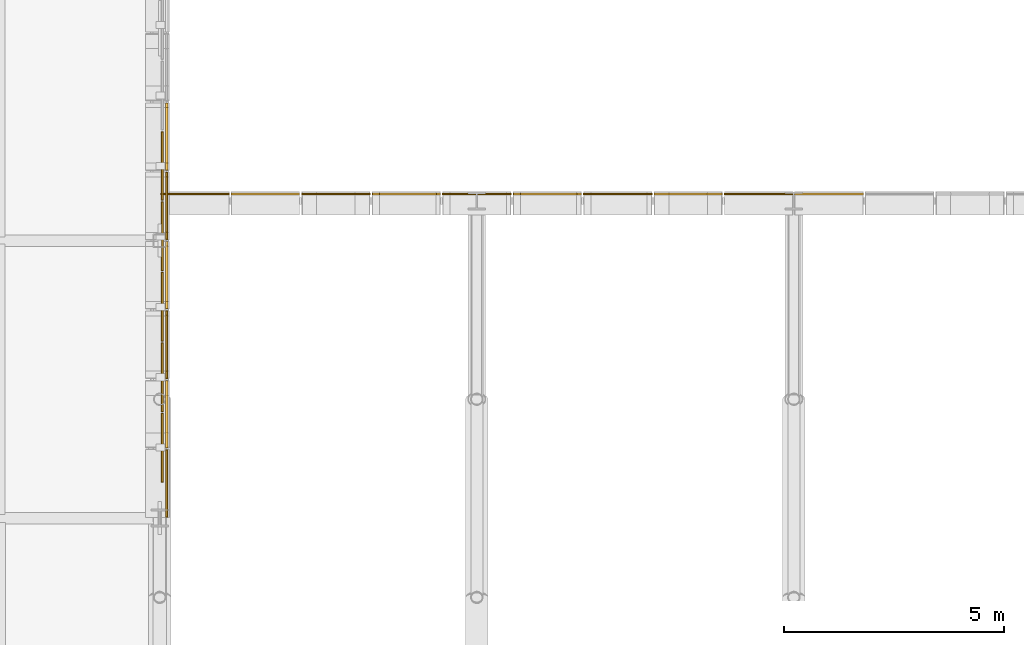
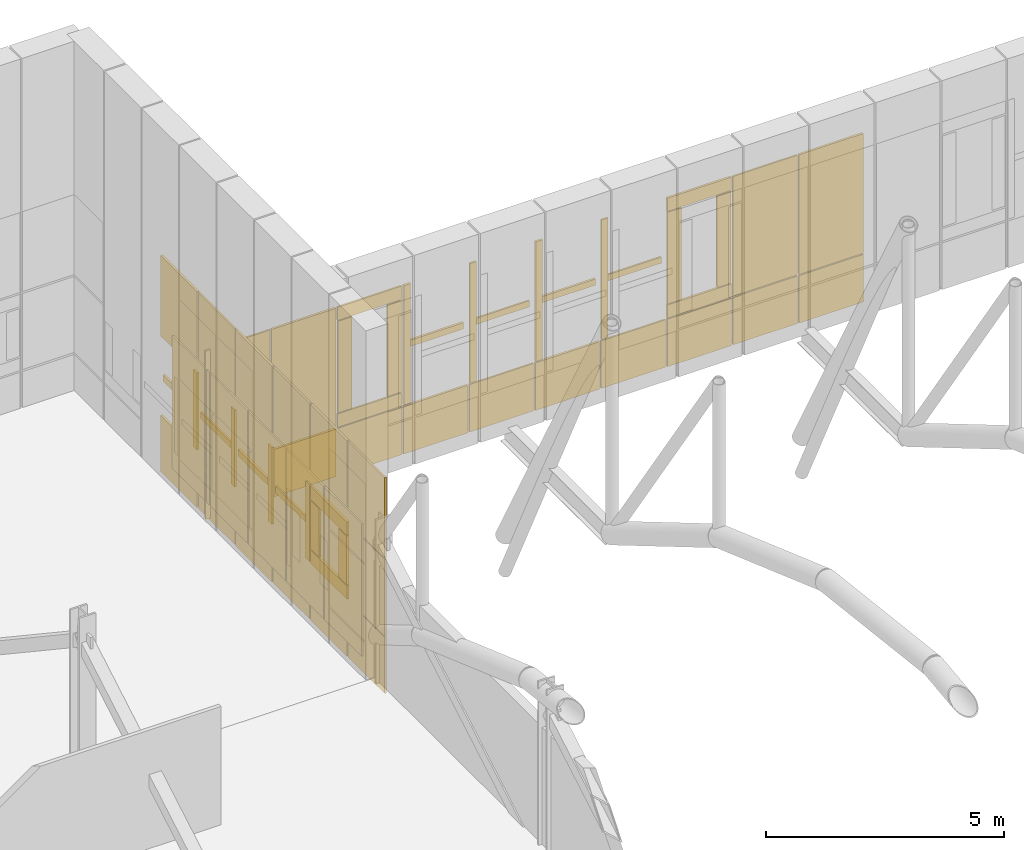
# One storey, part 137 of 144: 55 coverings, 5 shading devices.
"""IFC4 building model written with IfcOpenShell, lengths in metres."""

from ifc_helpers import new_model, si_unit, direction, frame, origin, origin_2d, place, context, subcontext, project, spatial, rectangle, extrude, material, layer, layer_set, type_object, element, save


model = new_model("IFC4")

# Units and contexts
model_context = context("Model", 3, precision=1e-05, world=origin(), true_north=direction((0.0, 1.0)))
body_context = subcontext(model_context, "Body", "Model", "MODEL_VIEW")
ifc_project = project(units=[si_unit("LENGTHUNIT", "METRE"), si_unit("AREAUNIT", "SQUARE_METRE"), si_unit("VOLUMEUNIT", "CUBIC_METRE"), si_unit("PLANEANGLEUNIT", "RADIAN"), si_unit("MASSUNIT", "GRAM", prefix="KILO")], contexts=[model_context])

# Site, building, storey
site_placement = place(None, origin())
site = spatial("IfcSite", under=ifc_project, at=site_placement, CompositionType="ELEMENT")
building_placement = place(site_placement, origin())
building = spatial("IfcBuilding", under=site, at=building_placement, Name="Yarey Park Central Fire Station", CompositionType="ELEMENT")
storey_placement = place(building_placement, frame((0.0, 0.0, 10.199951171875)))
storey = spatial("IfcBuildingStorey", under=building, at=storey_placement, Name="L03", CompositionType="ELEMENT", Elevation=10.199951171875)

# Coverings
ifc_material_1 = material(Name="Perforated Powder-Coated Aluminium Cladding", Category="aluminium")
ifc_layer_1 = layer(ifc_material_1, 0.0419921875)
ifc_layer_set_1 = layer_set([ifc_layer_1], Name="Perforated Powder-Coated Aluminium Cladding")
covering_type_1 = type_object("IfcCoveringType", Name="ENV_COV_PERF_1", PredefinedType="CLADDING", material=ifc_layer_set_1)
covering_1_placement = place(storey_placement, frame((57.760009765625, 87.1875, -0.5048828125), z_axis=(0.0, 0.0, 1.0), x_axis=(0.0, 1.0, 0.0)))
element("IfcCovering", 1, at=covering_1_placement, inside=storey, type_object=covering_type_1, Name="PERF_L03_0466", PredefinedType="CLADDING", context=body_context, shape_type="SweptSolid", body=[
    extrude(rectangle(XDim=1.534912109375, YDim=0.0419921875, at=origin_2d()), origin(), (0.0, 0.0, 1.0), 1.43994140625),
])
covering_2_placement = place(storey_placement, frame((57.760009765625, 87.1875, 0.96484375), z_axis=(0.0, 0.0, 1.0), x_axis=(0.0, 1.0, 0.0)))
element("IfcCovering", 2, at=covering_2_placement, inside=storey, type_object=covering_type_1, Name="PERF_L03_0467", PredefinedType="CLADDING", context=body_context, shape_type="SweptSolid", body=[
    extrude(rectangle(XDim=1.534912109375, YDim=0.0419921875, at=origin_2d()), origin(), (0.0, 0.0, 1.0), 1.969970703125),
])
covering_3_placement = place(storey_placement, frame((57.760009765625, 87.1875, 2.96484375), z_axis=(0.0, 0.0, 1.0), x_axis=(0.0, 1.0, 0.0)))
element("IfcCovering", 3, at=covering_3_placement, inside=storey, type_object=covering_type_1, Name="PERF_L03_0468", PredefinedType="CLADDING", context=body_context, shape_type="SweptSolid", body=[
    extrude(rectangle(XDim=1.534912109375, YDim=0.0419921875, at=origin_2d()), origin(), (0.0, 0.0, 1.0), 2.070068359375),
])
covering_4_placement = place(storey_placement, frame((57.760009765625, 90.33740234375, -0.5048828125), z_axis=(0.0, 0.0, 1.0), x_axis=(0.0, 1.0, 0.0)))
element("IfcCovering", 4, at=covering_4_placement, inside=storey, type_object=covering_type_1, Name="PERF_L03_0482", PredefinedType="CLADDING", context=body_context, shape_type="SweptSolid", body=[
    extrude(rectangle(XDim=1.534912109375, YDim=0.0419921875, at=origin_2d()), origin(), (0.0, 0.0, 1.0), 1.43994140625),
])
covering_5_placement = place(storey_placement, frame((57.760009765625, 89.659912109375, 0.96484375), z_axis=(0.0, 0.0, 1.0), x_axis=(0.0, 1.0, 0.0)))
element("IfcCovering", 5, at=covering_5_placement, inside=storey, type_object=covering_type_1, Name="PERF_L03_0483", PredefinedType="CLADDING", context=body_context, shape_type="SweptSolid", body=[
    extrude(rectangle(XDim=0.159912109375, YDim=0.0419921875, at=origin_2d()), origin(), (0.0, 0.0, 1.0), 1.969970703125),
])
covering_6_placement = place(storey_placement, frame((57.760009765625, 90.33740234375, 1.8701171875), z_axis=(0.0, 0.0, 1.0), x_axis=(0.0, 1.0, 0.0)))
element("IfcCovering", 6, at=covering_6_placement, inside=storey, type_object=covering_type_1, Name="PERF_L03_0484", PredefinedType="CLADDING", context=body_context, shape_type="SweptSolid", body=[
    extrude(rectangle(XDim=1.3349609375, YDim=0.0419921875, at=origin_2d()), origin(), (0.0, 0.0, 1.0), 0.159912109375),
])
covering_7_placement = place(storey_placement, frame((57.760009765625, 90.33740234375, 2.96484375), z_axis=(0.0, 0.0, 1.0), x_axis=(0.0, 1.0, 0.0)))
element("IfcCovering", 7, at=covering_7_placement, inside=storey, type_object=covering_type_1, Name="PERF_L03_0485", PredefinedType="CLADDING", context=body_context, shape_type="SweptSolid", body=[
    extrude(rectangle(XDim=1.534912109375, YDim=0.0419921875, at=origin_2d()), origin(), (0.0, 0.0, 1.0), 2.070068359375),
])
covering_8_placement = place(storey_placement, frame((57.760009765625, 93.487548828125, -0.5048828125), z_axis=(0.0, 0.0, 1.0), x_axis=(0.0, 1.0, 0.0)))
element("IfcCovering", 8, at=covering_8_placement, inside=storey, type_object=covering_type_1, Name="PERF_L03_0496", PredefinedType="CLADDING", context=body_context, shape_type="SweptSolid", body=[
    extrude(rectangle(XDim=1.534912109375, YDim=0.0419921875, at=origin_2d()), origin(), (0.0, 0.0, 1.0), 1.43994140625),
])
covering_9_placement = place(storey_placement, frame((57.760009765625, 92.81005859375, 0.96484375), z_axis=(0.0, 0.0, 1.0), x_axis=(0.0, 1.0, 0.0)))
element("IfcCovering", 9, at=covering_9_placement, inside=storey, type_object=covering_type_1, Name="PERF_L03_0497", PredefinedType="CLADDING", context=body_context, shape_type="SweptSolid", body=[
    extrude(rectangle(XDim=0.159912109375, YDim=0.0419921875, at=origin_2d()), origin(), (0.0, 0.0, 1.0), 1.969970703125),
])
covering_10_placement = place(storey_placement, frame((57.760009765625, 93.487548828125, 1.8701171875), z_axis=(0.0, 0.0, 1.0), x_axis=(0.0, 1.0, 0.0)))
element("IfcCovering", 10, at=covering_10_placement, inside=storey, type_object=covering_type_1, Name="PERF_L03_0498", PredefinedType="CLADDING", context=body_context, shape_type="SweptSolid", body=[
    extrude(rectangle(XDim=1.3349609375, YDim=0.0419921875, at=origin_2d()), origin(), (0.0, 0.0, 1.0), 0.159912109375),
])
covering_11_placement = place(storey_placement, frame((57.760009765625, 93.487548828125, 2.96484375), z_axis=(0.0, 0.0, 1.0), x_axis=(0.0, 1.0, 0.0)))
element("IfcCovering", 11, at=covering_11_placement, inside=storey, type_object=covering_type_1, Name="PERF_L03_0499", PredefinedType="CLADDING", context=body_context, shape_type="SweptSolid", body=[
    extrude(rectangle(XDim=1.534912109375, YDim=0.0419921875, at=origin_2d()), origin(), (0.0, 0.0, 1.0), 2.070068359375),
])
covering_12_placement = place(storey_placement, frame((58.39990234375, 93.760009765625, -0.43505859375), z_axis=(0.0, 0.0, 1.0), x_axis=(1.0, 0.0, 0.0)))
element("IfcCovering", 12, at=covering_12_placement, inside=storey, type_object=covering_type_1, Name="PERF_L03_1566", PredefinedType="CLADDING", context=body_context, shape_type="SweptSolid", body=[
    extrude(rectangle(XDim=1.56005859375, YDim=0.0419921875, at=origin_2d()), origin(), (0.0, 0.0, 1.0), 1.219970703125),
])
covering_13_placement = place(storey_placement, frame((58.39990234375, 93.760009765625, 0.81494140625), z_axis=(0.0, 0.0, 1.0), x_axis=(1.0, 0.0, 0.0)))
element("IfcCovering", 13, at=covering_13_placement, inside=storey, type_object=covering_type_1, Name="PERF_L03_1567", PredefinedType="CLADDING", context=body_context, shape_type="SweptSolid", body=[
    extrude(rectangle(XDim=1.56005859375, YDim=0.0419921875, at=origin_2d()), origin(), (0.0, 0.0, 1.0), 3.070068359375),
])
covering_14_placement = place(storey_placement, frame((61.60009765625, 93.760009765625, -0.43505859375), z_axis=(0.0, 0.0, 1.0), x_axis=(1.0, 0.0, 0.0)))
element("IfcCovering", 14, at=covering_14_placement, inside=storey, type_object=covering_type_1, Name="PERF_L03_1572", PredefinedType="CLADDING", context=body_context, shape_type="SweptSolid", body=[
    extrude(rectangle(XDim=1.56005859375, YDim=0.0419921875, at=origin_2d()), origin(), (0.0, 0.0, 1.0), 1.219970703125),
])
for number, where, z_axis, x_axis, name in (
    (15, (61.60009765625, 93.760009765625, 0.81005859375), (0.0, 0.0, 1.0), (1.0, 0.0, 0.0), "PERF_L03_1573"),
    (16, (61.60009765625, 93.760009765625, 3.5498046875), (0.0, 0.0, 1.0), (1.0, 0.0, 0.0), "PERF_L03_1574"),
):
    element("IfcCovering", number, at=place(storey_placement, frame(where, z_axis=z_axis, x_axis=x_axis)), inside=storey, type_object=covering_type_1, Name=name, PredefinedType="CLADDING", context=body_context, shape_type="SweptSolid", body=[
        extrude(rectangle(XDim=1.56005859375, YDim=0.0419921875, at=origin_2d()), origin(), (0.0, 0.0, 1.0), 0.340087890625),
    ])
for number, where, z_axis, x_axis, name in (
    (17, (61.0, 93.760009765625, 1.175048828125), (0.0, 0.0, 1.0), (1.0, 0.0, 0.0), "PERF_L03_1575"),
    (18, (62.199951171875, 93.760009765625, 1.175048828125), (0.0, 0.0, 1.0), (1.0, 0.0, 0.0), "PERF_L03_1576"),
):
    element("IfcCovering", number, at=place(storey_placement, frame(where, z_axis=z_axis, x_axis=x_axis)), inside=storey, type_object=covering_type_1, Name=name, PredefinedType="CLADDING", context=body_context, shape_type="SweptSolid", body=[
        extrude(rectangle(XDim=0.340087890625, YDim=0.0419921875, at=origin_2d()), origin(), (0.0, 0.0, 1.0), 2.35009765625),
    ])
covering_15_placement = place(storey_placement, frame((64.800048828125, 93.760009765625, -0.43505859375), z_axis=(0.0, 0.0, 1.0), x_axis=(1.0, 0.0, 0.0)))
element("IfcCovering", 19, at=covering_15_placement, inside=storey, type_object=covering_type_1, Name="PERF_L03_1582", PredefinedType="CLADDING", context=body_context, shape_type="SweptSolid", body=[
    extrude(rectangle(XDim=1.56005859375, YDim=0.0419921875, at=origin_2d()), origin(), (0.0, 0.0, 1.0), 1.219970703125),
])
covering_16_placement = place(storey_placement, frame((64.110107421875, 93.760009765625, 0.81494140625), z_axis=(0.0, 0.0, 1.0), x_axis=(1.0, 0.0, 0.0)))
element("IfcCovering", 20, at=covering_16_placement, inside=storey, type_object=covering_type_1, Name="PERF_L03_1583", PredefinedType="CLADDING", context=body_context, shape_type="SweptSolid", body=[
    extrude(rectangle(XDim=0.159912109375, YDim=0.0419921875, at=origin_2d()), origin(), (0.0, 0.0, 1.0), 3.070068359375),
])
covering_17_placement = place(storey_placement, frame((64.800048828125, 93.760009765625, 2.27001953125), z_axis=(0.0, 0.0, 1.0), x_axis=(1.0, 0.0, 0.0)))
element("IfcCovering", 21, at=covering_17_placement, inside=storey, type_object=covering_type_1, Name="PERF_L03_1584", PredefinedType="CLADDING", context=body_context, shape_type="SweptSolid", body=[
    extrude(rectangle(XDim=1.360107421875, YDim=0.0419921875, at=origin_2d()), origin(), (0.0, 0.0, 1.0), 0.159912109375),
])
covering_18_placement = place(storey_placement, frame((68.0, 93.760009765625, -0.43505859375), z_axis=(0.0, 0.0, 1.0), x_axis=(1.0, 0.0, 0.0)))
element("IfcCovering", 22, at=covering_18_placement, inside=storey, type_object=covering_type_1, Name="PERF_L03_1590", PredefinedType="CLADDING", context=body_context, shape_type="SweptSolid", body=[
    extrude(rectangle(XDim=1.56005859375, YDim=0.0419921875, at=origin_2d()), origin(), (0.0, 0.0, 1.0), 1.219970703125),
])
covering_19_placement = place(storey_placement, frame((67.31005859375, 93.760009765625, 0.81494140625), z_axis=(0.0, 0.0, 1.0), x_axis=(1.0, 0.0, 0.0)))
element("IfcCovering", 23, at=covering_19_placement, inside=storey, type_object=covering_type_1, Name="PERF_L03_1591", PredefinedType="CLADDING", context=body_context, shape_type="SweptSolid", body=[
    extrude(rectangle(XDim=0.159912109375, YDim=0.0419921875, at=origin_2d()), origin(), (0.0, 0.0, 1.0), 3.070068359375),
])
covering_20_placement = place(storey_placement, frame((68.0, 93.760009765625, 2.27001953125), z_axis=(0.0, 0.0, 1.0), x_axis=(1.0, 0.0, 0.0)))
element("IfcCovering", 24, at=covering_20_placement, inside=storey, type_object=covering_type_1, Name="PERF_L03_1592", PredefinedType="CLADDING", context=body_context, shape_type="SweptSolid", body=[
    extrude(rectangle(XDim=1.360107421875, YDim=0.0419921875, at=origin_2d()), origin(), (0.0, 0.0, 1.0), 0.159912109375),
])
covering_21_placement = place(storey_placement, frame((71.199951171875, 93.760009765625, -0.43505859375), z_axis=(0.0, 0.0, 1.0), x_axis=(1.0, 0.0, 0.0)))
element("IfcCovering", 25, at=covering_21_placement, inside=storey, type_object=covering_type_1, Name="PERF_L03_1600", PredefinedType="CLADDING", context=body_context, shape_type="SweptSolid", body=[
    extrude(rectangle(XDim=1.56005859375, YDim=0.0419921875, at=origin_2d()), origin(), (0.0, 0.0, 1.0), 1.219970703125),
])
covering_22_placement = place(storey_placement, frame((71.199951171875, 93.760009765625, 0.81494140625), z_axis=(0.0, 0.0, 1.0), x_axis=(1.0, 0.0, 0.0)))
element("IfcCovering", 26, at=covering_22_placement, inside=storey, type_object=covering_type_1, Name="PERF_L03_1601", PredefinedType="CLADDING", context=body_context, shape_type="SweptSolid", body=[
    extrude(rectangle(XDim=1.56005859375, YDim=0.0419921875, at=origin_2d()), origin(), (0.0, 0.0, 1.0), 3.070068359375),
])
ifc_layer_2 = layer(ifc_material_1, 0.053955078125)
ifc_layer_set_2 = layer_set([ifc_layer_2], Name="Perforated Powder-Coated Aluminium Cladding")
covering_type_2 = type_object("IfcCoveringType", Name="ENV_COV_PERF_2", PredefinedType="CLADDING", material=ifc_layer_set_2)
covering_23_placement = place(storey_placement, frame((57.760009765625, 88.762451171875, -0.5048828125), z_axis=(0.0, 0.0, 1.0), x_axis=(0.0, 1.0, 0.0)))
element("IfcCovering", 27, at=covering_23_placement, inside=storey, type_object=covering_type_2, Name="PERF_L03_0471", PredefinedType="CLADDING", context=body_context, shape_type="SweptSolid", body=[
    extrude(rectangle(XDim=1.534912109375, YDim=0.053955078125, at=origin_2d()), origin(), (0.0, 0.0, 1.0), 1.43994140625),
])
for number, where, z_axis, x_axis, name in (
    (28, (57.760009765625, 88.762451171875, 0.9599609375), (0.0, 0.0, 1.0), (0.0, 1.0, 0.0), "PERF_L03_0472"),
    (29, (57.760009765625, 88.762451171875, 2.60009765625), (0.0, 0.0, 1.0), (0.0, 1.0, 0.0), "PERF_L03_0473"),
):
    element("IfcCovering", number, at=place(storey_placement, frame(where, z_axis=z_axis, x_axis=x_axis)), inside=storey, type_object=covering_type_2, Name=name, PredefinedType="CLADDING", context=body_context, shape_type="SweptSolid", body=[
        extrude(rectangle(XDim=1.534912109375, YDim=0.053955078125, at=origin_2d()), origin(), (0.0, 0.0, 1.0), 0.340087890625),
    ])
for number, where, z_axis, x_axis, name in (
    (30, (57.760009765625, 88.175048828125, 1.324951171875), (0.0, 0.0, 1.0), (0.0, 1.0, 0.0), "PERF_L03_0474"),
    (31, (57.760009765625, 89.35009765625, 1.324951171875), (0.0, 0.0, 1.0), (0.0, 1.0, 0.0), "PERF_L03_0475"),
):
    element("IfcCovering", number, at=place(storey_placement, frame(where, z_axis=z_axis, x_axis=x_axis)), inside=storey, type_object=covering_type_2, Name=name, PredefinedType="CLADDING", context=body_context, shape_type="SweptSolid", body=[
        extrude(rectangle(XDim=0.340087890625, YDim=0.053955078125, at=origin_2d()), origin(), (0.0, 0.0, 1.0), 1.25),
    ])
covering_24_placement = place(storey_placement, frame((57.760009765625, 88.762451171875, 2.96484375), z_axis=(0.0, 0.0, 1.0), x_axis=(0.0, 1.0, 0.0)))
element("IfcCovering", 32, at=covering_24_placement, inside=storey, type_object=covering_type_2, Name="PERF_L03_0476", PredefinedType="CLADDING", context=body_context, shape_type="SweptSolid", body=[
    extrude(rectangle(XDim=1.534912109375, YDim=0.053955078125, at=origin_2d()), origin(), (0.0, 0.0, 1.0), 2.070068359375),
])
covering_25_placement = place(storey_placement, frame((57.760009765625, 91.91259765625, -0.5048828125), z_axis=(0.0, 0.0, 1.0), x_axis=(0.0, 1.0, 0.0)))
element("IfcCovering", 33, at=covering_25_placement, inside=storey, type_object=covering_type_2, Name="PERF_L03_0489", PredefinedType="CLADDING", context=body_context, shape_type="SweptSolid", body=[
    extrude(rectangle(XDim=1.534912109375, YDim=0.053955078125, at=origin_2d()), origin(), (0.0, 0.0, 1.0), 1.43994140625),
])
covering_26_placement = place(storey_placement, frame((57.760009765625, 91.235107421875, 0.96484375), z_axis=(0.0, 0.0, 1.0), x_axis=(0.0, 1.0, 0.0)))
element("IfcCovering", 34, at=covering_26_placement, inside=storey, type_object=covering_type_2, Name="PERF_L03_0490", PredefinedType="CLADDING", context=body_context, shape_type="SweptSolid", body=[
    extrude(rectangle(XDim=0.159912109375, YDim=0.053955078125, at=origin_2d()), origin(), (0.0, 0.0, 1.0), 1.969970703125),
])
covering_27_placement = place(storey_placement, frame((57.760009765625, 91.91259765625, 1.8701171875), z_axis=(0.0, 0.0, 1.0), x_axis=(0.0, 1.0, 0.0)))
element("IfcCovering", 35, at=covering_27_placement, inside=storey, type_object=covering_type_2, Name="PERF_L03_0491", PredefinedType="CLADDING", context=body_context, shape_type="SweptSolid", body=[
    extrude(rectangle(XDim=1.3349609375, YDim=0.053955078125, at=origin_2d()), origin(), (0.0, 0.0, 1.0), 0.159912109375),
])
covering_28_placement = place(storey_placement, frame((57.760009765625, 91.91259765625, 2.96484375), z_axis=(0.0, 0.0, 1.0), x_axis=(0.0, 1.0, 0.0)))
element("IfcCovering", 36, at=covering_28_placement, inside=storey, type_object=covering_type_2, Name="PERF_L03_0492", PredefinedType="CLADDING", context=body_context, shape_type="SweptSolid", body=[
    extrude(rectangle(XDim=1.534912109375, YDim=0.053955078125, at=origin_2d()), origin(), (0.0, 0.0, 1.0), 2.070068359375),
])
covering_29_placement = place(storey_placement, frame((57.760009765625, 95.0625, -0.5048828125), z_axis=(0.0, 0.0, 1.0), x_axis=(0.0, 1.0, 0.0)))
element("IfcCovering", 37, at=covering_29_placement, inside=storey, type_object=covering_type_2, Name="PERF_L03_0503", PredefinedType="CLADDING", context=body_context, shape_type="SweptSolid", body=[
    extrude(rectangle(XDim=1.534912109375, YDim=0.053955078125, at=origin_2d()), origin(), (0.0, 0.0, 1.0), 1.43994140625),
])
covering_30_placement = place(storey_placement, frame((57.760009765625, 94.385009765625, 0.96484375), z_axis=(0.0, 0.0, 1.0), x_axis=(0.0, 1.0, 0.0)))
element("IfcCovering", 38, at=covering_30_placement, inside=storey, type_object=covering_type_2, Name="PERF_L03_0504", PredefinedType="CLADDING", context=body_context, shape_type="SweptSolid", body=[
    extrude(rectangle(XDim=0.159912109375, YDim=0.053955078125, at=origin_2d()), origin(), (0.0, 0.0, 1.0), 1.969970703125),
])
covering_31_placement = place(storey_placement, frame((57.760009765625, 95.0625, 1.8701171875), z_axis=(0.0, 0.0, 1.0), x_axis=(0.0, 1.0, 0.0)))
element("IfcCovering", 39, at=covering_31_placement, inside=storey, type_object=covering_type_2, Name="PERF_L03_0505", PredefinedType="CLADDING", context=body_context, shape_type="SweptSolid", body=[
    extrude(rectangle(XDim=1.3349609375, YDim=0.053955078125, at=origin_2d()), origin(), (0.0, 0.0, 1.0), 0.159912109375),
])
covering_32_placement = place(storey_placement, frame((57.760009765625, 95.0625, 2.96484375), z_axis=(0.0, 0.0, 1.0), x_axis=(0.0, 1.0, 0.0)))
element("IfcCovering", 40, at=covering_32_placement, inside=storey, type_object=covering_type_2, Name="PERF_L03_0506", PredefinedType="CLADDING", context=body_context, shape_type="SweptSolid", body=[
    extrude(rectangle(XDim=1.534912109375, YDim=0.053955078125, at=origin_2d()), origin(), (0.0, 0.0, 1.0), 2.070068359375),
])
covering_33_placement = place(storey_placement, frame((60.0, 93.760009765625, -0.43505859375), z_axis=(0.0, 0.0, 1.0), x_axis=(1.0, 0.0, 0.0)))
element("IfcCovering", 41, at=covering_33_placement, inside=storey, type_object=covering_type_2, Name="PERF_L03_1569", PredefinedType="CLADDING", context=body_context, shape_type="SweptSolid", body=[
    extrude(rectangle(XDim=1.56005859375, YDim=0.053955078125, at=origin_2d()), origin(), (0.0, 0.0, 1.0), 1.219970703125),
])
covering_34_placement = place(storey_placement, frame((60.0, 93.760009765625, 0.81494140625), z_axis=(0.0, 0.0, 1.0), x_axis=(1.0, 0.0, 0.0)))
element("IfcCovering", 42, at=covering_34_placement, inside=storey, type_object=covering_type_2, Name="PERF_L03_1570", PredefinedType="CLADDING", context=body_context, shape_type="SweptSolid", body=[
    extrude(rectangle(XDim=1.56005859375, YDim=0.053955078125, at=origin_2d()), origin(), (0.0, 0.0, 1.0), 3.070068359375),
])
covering_35_placement = place(storey_placement, frame((63.199951171875, 93.760009765625, -0.43505859375), z_axis=(0.0, 0.0, 1.0), x_axis=(1.0, 0.0, 0.0)))
element("IfcCovering", 43, at=covering_35_placement, inside=storey, type_object=covering_type_2, Name="PERF_L03_1578", PredefinedType="CLADDING", context=body_context, shape_type="SweptSolid", body=[
    extrude(rectangle(XDim=1.56005859375, YDim=0.053955078125, at=origin_2d()), origin(), (0.0, 0.0, 1.0), 1.219970703125),
])
covering_36_placement = place(storey_placement, frame((62.510009765625, 93.760009765625, 0.81494140625), z_axis=(0.0, 0.0, 1.0), x_axis=(1.0, 0.0, 0.0)))
element("IfcCovering", 44, at=covering_36_placement, inside=storey, type_object=covering_type_2, Name="PERF_L03_1579", PredefinedType="CLADDING", context=body_context, shape_type="SweptSolid", body=[
    extrude(rectangle(XDim=0.159912109375, YDim=0.053955078125, at=origin_2d()), origin(), (0.0, 0.0, 1.0), 3.070068359375),
])
covering_37_placement = place(storey_placement, frame((63.199951171875, 93.760009765625, 2.27001953125), z_axis=(0.0, 0.0, 1.0), x_axis=(1.0, 0.0, 0.0)))
element("IfcCovering", 45, at=covering_37_placement, inside=storey, type_object=covering_type_2, Name="PERF_L03_1580", PredefinedType="CLADDING", context=body_context, shape_type="SweptSolid", body=[
    extrude(rectangle(XDim=1.360107421875, YDim=0.053955078125, at=origin_2d()), origin(), (0.0, 0.0, 1.0), 0.159912109375),
])
covering_38_placement = place(storey_placement, frame((66.39990234375, 93.760009765625, -0.43505859375), z_axis=(0.0, 0.0, 1.0), x_axis=(1.0, 0.0, 0.0)))
element("IfcCovering", 46, at=covering_38_placement, inside=storey, type_object=covering_type_2, Name="PERF_L03_1586", PredefinedType="CLADDING", context=body_context, shape_type="SweptSolid", body=[
    extrude(rectangle(XDim=1.56005859375, YDim=0.053955078125, at=origin_2d()), origin(), (0.0, 0.0, 1.0), 1.219970703125),
])
covering_39_placement = place(storey_placement, frame((65.7099609375, 93.760009765625, 0.81494140625), z_axis=(0.0, 0.0, 1.0), x_axis=(1.0, 0.0, 0.0)))
element("IfcCovering", 47, at=covering_39_placement, inside=storey, type_object=covering_type_2, Name="PERF_L03_1587", PredefinedType="CLADDING", context=body_context, shape_type="SweptSolid", body=[
    extrude(rectangle(XDim=0.159912109375, YDim=0.053955078125, at=origin_2d()), origin(), (0.0, 0.0, 1.0), 3.070068359375),
])
covering_40_placement = place(storey_placement, frame((66.39990234375, 93.760009765625, 2.27001953125), z_axis=(0.0, 0.0, 1.0), x_axis=(1.0, 0.0, 0.0)))
element("IfcCovering", 48, at=covering_40_placement, inside=storey, type_object=covering_type_2, Name="PERF_L03_1588", PredefinedType="CLADDING", context=body_context, shape_type="SweptSolid", body=[
    extrude(rectangle(XDim=1.360107421875, YDim=0.053955078125, at=origin_2d()), origin(), (0.0, 0.0, 1.0), 0.159912109375),
])
covering_41_placement = place(storey_placement, frame((69.60009765625, 93.760009765625, -0.43505859375), z_axis=(0.0, 0.0, 1.0), x_axis=(1.0, 0.0, 0.0)))
element("IfcCovering", 49, at=covering_41_placement, inside=storey, type_object=covering_type_2, Name="PERF_L03_1594", PredefinedType="CLADDING", context=body_context, shape_type="SweptSolid", body=[
    extrude(rectangle(XDim=1.56005859375, YDim=0.053955078125, at=origin_2d()), origin(), (0.0, 0.0, 1.0), 1.219970703125),
])
for number, where, z_axis, x_axis, name in (
    (50, (69.60009765625, 93.760009765625, 0.81005859375), (0.0, 0.0, 1.0), (1.0, 0.0, 0.0), "PERF_L03_1595"),
    (51, (69.60009765625, 93.760009765625, 3.5498046875), (0.0, 0.0, 1.0), (1.0, 0.0, 0.0), "PERF_L03_1596"),
):
    element("IfcCovering", number, at=place(storey_placement, frame(where, z_axis=z_axis, x_axis=x_axis)), inside=storey, type_object=covering_type_2, Name=name, PredefinedType="CLADDING", context=body_context, shape_type="SweptSolid", body=[
        extrude(rectangle(XDim=1.56005859375, YDim=0.053955078125, at=origin_2d()), origin(), (0.0, 0.0, 1.0), 0.340087890625),
    ])
for number, where, z_axis, x_axis, name in (
    (52, (69.0, 93.760009765625, 1.175048828125), (0.0, 0.0, 1.0), (1.0, 0.0, 0.0), "PERF_L03_1597"),
    (53, (70.199951171875, 93.760009765625, 1.175048828125), (0.0, 0.0, 1.0), (1.0, 0.0, 0.0), "PERF_L03_1598"),
):
    element("IfcCovering", number, at=place(storey_placement, frame(where, z_axis=z_axis, x_axis=x_axis)), inside=storey, type_object=covering_type_2, Name=name, PredefinedType="CLADDING", context=body_context, shape_type="SweptSolid", body=[
        extrude(rectangle(XDim=0.340087890625, YDim=0.053955078125, at=origin_2d()), origin(), (0.0, 0.0, 1.0), 2.35009765625),
    ])
covering_42_placement = place(storey_placement, frame((72.800048828125, 93.760009765625, -0.43505859375), z_axis=(0.0, 0.0, 1.0), x_axis=(1.0, 0.0, 0.0)))
element("IfcCovering", 54, at=covering_42_placement, inside=storey, type_object=covering_type_2, Name="PERF_L03_1603", PredefinedType="CLADDING", context=body_context, shape_type="SweptSolid", body=[
    extrude(rectangle(XDim=1.56005859375, YDim=0.053955078125, at=origin_2d()), origin(), (0.0, 0.0, 1.0), 1.219970703125),
])
covering_43_placement = place(storey_placement, frame((72.800048828125, 93.760009765625, 0.81494140625), z_axis=(0.0, 0.0, 1.0), x_axis=(1.0, 0.0, 0.0)))
element("IfcCovering", 55, at=covering_43_placement, inside=storey, type_object=covering_type_2, Name="PERF_L03_1604", PredefinedType="CLADDING", context=body_context, shape_type="SweptSolid", body=[
    extrude(rectangle(XDim=1.56005859375, YDim=0.053955078125, at=origin_2d()), origin(), (0.0, 0.0, 1.0), 3.070068359375),
])

# Shading devices
ifc_material_2 = material(Name="Perforated Powder-Coated Aluminium Screen", Category="aluminium")
ifc_layer_3 = layer(ifc_material_2, 0.0400390625)
ifc_layer_set_3 = layer_set([ifc_layer_3], Name="Perforated Powder-Coated Aluminium Screen")
shading_device_type = type_object("IfcShadingDeviceType", Name="ENV_SHD_SCR_1", PredefinedType="USERDEFINED", material=ifc_layer_set_3)
for number, where, z_axis, x_axis, name in (
    (56, (57.659912109375, 88.0, 0.0), (0.0, 0.0, 1.0), (0.0, 1.0, 0.0), "SCR_L03_SIDE_018"),
    (57, (57.659912109375, 89.60009765625, 0.0), (0.0, 0.0, 1.0), (0.0, 1.0, 0.0), "SCR_L03_SIDE_020"),
    (58, (57.659912109375, 91.199951171875, 0.0), (0.0, 0.0, 1.0), (0.0, 1.0, 0.0), "SCR_L03_SIDE_022"),
    (59, (57.659912109375, 92.800048828125, 0.0), (0.0, 0.0, 1.0), (0.0, 1.0, 0.0), "SCR_L03_SIDE_024"),
    (60, (57.659912109375, 94.39990234375, 0.0), (0.0, 0.0, 1.0), (0.0, 1.0, 0.0), "SCR_L03_SIDE_026"),
):
    element("IfcShadingDevice", number, at=place(storey_placement, frame(where, z_axis=z_axis, x_axis=x_axis)), inside=storey, type_object=shading_device_type, Name=name, ObjectType="SCREEN", PredefinedType="USERDEFINED", context=body_context, shape_type="SweptSolid", body=[
        extrude(rectangle(XDim=1.56005859375, YDim=0.0400390625, at=origin_2d()), origin(), (0.0, 0.0, 1.0), 3.39990234375),
    ])

save(model, "model.ifc")
